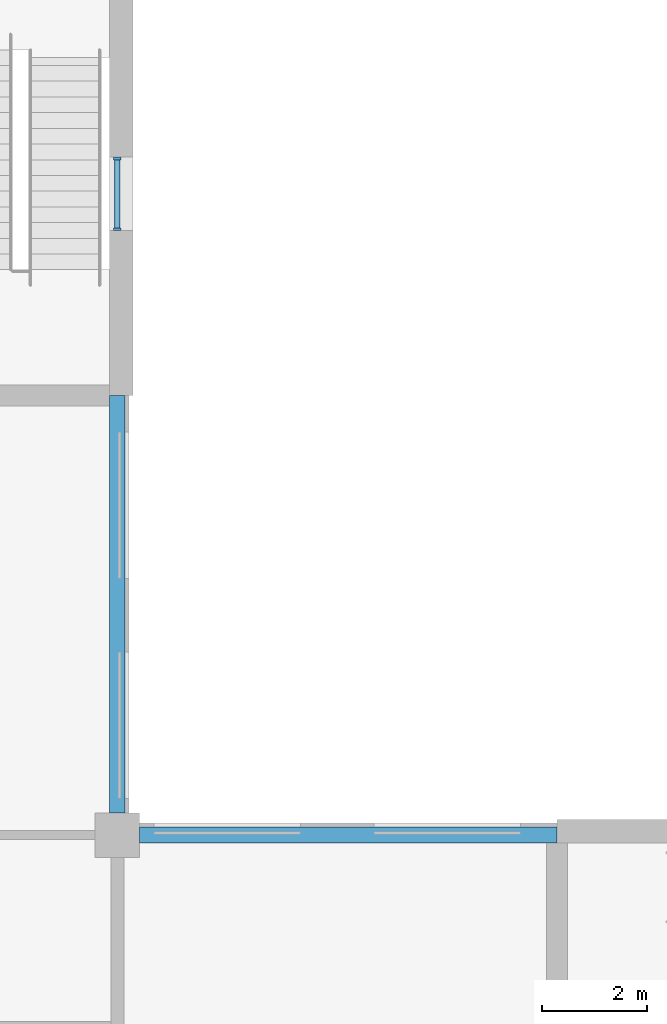
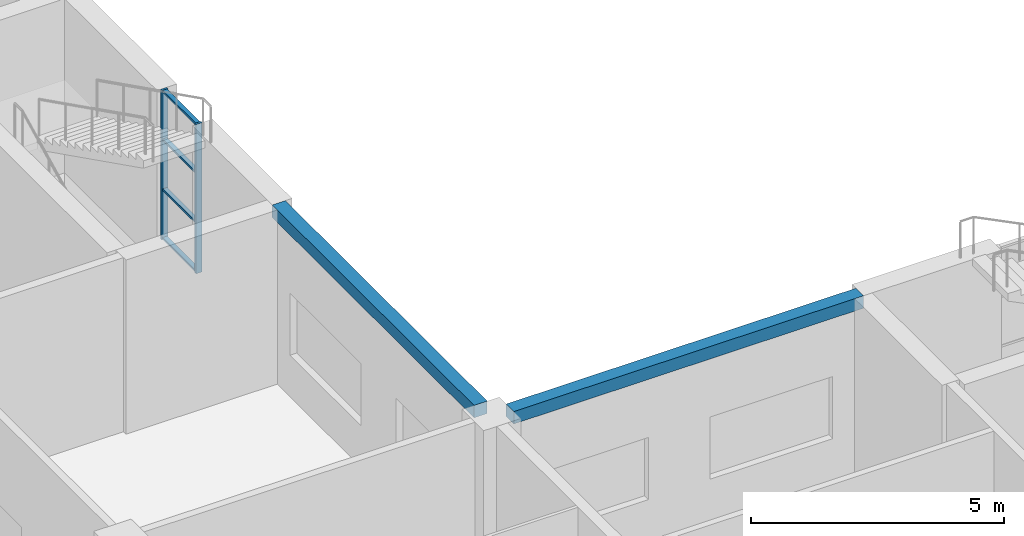
# One storey, part 6 of 66: 6 members, 2 beams, 1 element without a shape of its own.
"""IFC4 building model written with IfcOpenShell, lengths in metres."""

from ifc_helpers import new_model, si_unit, direction, frame, origin, origin_2d, place, context, subcontext, project, spatial, rectangle, extrude, material, material_profile, profile_set, type_object, element, aggregate, save


model = new_model("IFC4")

# Units and contexts
model_context = context("Model", 3, precision=1e-05, world=origin(), true_north=direction((0.0, 1.0)))
body_context = subcontext(model_context, "Body", "Model", "MODEL_VIEW")
ifc_project = project(units=[si_unit("LENGTHUNIT", "METRE"), si_unit("AREAUNIT", "SQUARE_METRE"), si_unit("VOLUMEUNIT", "CUBIC_METRE"), si_unit("PLANEANGLEUNIT", "RADIAN"), si_unit("MASSUNIT", "GRAM", prefix="KILO")], contexts=[model_context])

# Site, building, storey
site_placement = place(None, origin())
site = spatial("IfcSite", under=ifc_project, at=site_placement, CompositionType="ELEMENT")
building_placement = place(site_placement, origin())
building = spatial("IfcBuilding", under=site, at=building_placement, Name="Yavir Park General Hospital", CompositionType="ELEMENT")
storey_placement = place(building_placement, frame((0.0, 0.0, 8.39990234375)))
storey = spatial("IfcBuildingStorey", under=building, at=storey_placement, Name="L02", CompositionType="ELEMENT", Elevation=8.39990234375)

# Beams
ifc_material_1 = material(Name="Concrete C35/45", Category="concrete")
ifc_material_profile_1 = material_profile(ifc_material_1, rectangle(XDim=0.300048828125, YDim=0.300048828125, at=origin_2d()), Name="RC300x300")
ifc_profile_set_1 = profile_set([ifc_material_profile_1], Name="Concrete C35/45")
beam_type = type_object("IfcBeamType", Name="RC BEAM 300x300 edge beam", PredefinedType="BEAM", material=ifc_profile_set_1)
for number, where, z_axis, x_axis, name in (
    (1, (25.625, 33.60009765625, 4.050048828125), (1.0, 0.0, 0.0), (0.0, 1.0, 0.0), "B:EDGE:L02:017"),
    (2, (25.199951171875, 34.02490234375, 4.050048828125), (0.0, 1.0, 0.0), (-1.0, 0.0, 0.0), "B:EDGE:L02:045"),
):
    element("IfcBeam", number, at=place(storey_placement, frame(where, z_axis=z_axis, x_axis=x_axis)), inside=storey, type_object=beam_type, Name=name, PredefinedType="BEAM", context=body_context, shape_type="SweptSolid", body=[
        extrude(rectangle(XDim=0.300048828125, YDim=0.300048828125, at=origin_2d()), origin(), (0.0, 0.0, 1.0), 7.97509765625),
    ])

# Curtain wall, members
ifc_material_2 = material(Name="Aluminium curtain wall frame with insulated glazing", Category="aluminium")
curtain_wall_type = type_object("IfcCurtainWallType", Name="Stair light slot, podium, 3600 high, 1400 module", PredefinedType="NOTDEFINED", material=ifc_material_2)
curtain_wall_placement = place(storey_placement, origin())
curtain_wall = element("IfcCurtainWall", 3, at=curtain_wall_placement, inside=storey, type_object=curtain_wall_type, Name="CW57 L02-022", PredefinedType="NOTDEFINED")
ifc_material_3 = material(Name="Aluminium", Category="aluminium")
ifc_material_profile_2 = material_profile(ifc_material_3, rectangle(XDim=0.139892578125, YDim=0.050048828125, at=origin_2d()), Name="AL 50x140")
ifc_profile_set_2 = profile_set([ifc_material_profile_2], Name="Aluminium")
member_type_1 = type_object("IfcMemberType", Name="Stair light slot, podium, 3600 high mullion 50 x 140", PredefinedType="MULLION", material=ifc_profile_set_2)
member_1_placement = place(storey_placement, frame((25.199951171875, 45.175048828125, 0.60009765625), z_axis=(0.0, 0.0, 1.0), x_axis=(-1.0, 0.0, 0.0)))
member_1 = element("IfcMember", 4, at=member_1_placement, type_object=member_type_1, Name="CW57 mullion 1", PredefinedType="MULLION", context=body_context, shape_type="SweptSolid", body=[
    extrude(rectangle(XDim=0.139892578125, YDim=0.050048828125, at=origin_2d()), origin(), (0.0, 0.0, 1.0), 3.60009765625),
])
member_2_placement = place(storey_placement, frame((25.199951171875, 46.52490234375, 0.60009765625), z_axis=(0.0, 0.0, 1.0), x_axis=(-1.0, 0.0, 0.0)))
member_2 = element("IfcMember", 5, at=member_2_placement, type_object=member_type_1, Name="CW57 mullion 2", PredefinedType="MULLION", context=body_context, shape_type="SweptSolid", body=[
    extrude(rectangle(XDim=0.139892578125, YDim=0.050048828125, at=origin_2d()), origin(), (0.0, 0.0, 1.0), 3.60009765625),
])
ifc_material_4 = material(Name="Aluminium", Category="aluminium")
ifc_material_profile_3 = material_profile(ifc_material_4, rectangle(XDim=0.10009765625, YDim=0.050048828125, at=origin_2d()), Name="AL 100x50")
ifc_profile_set_3 = profile_set([ifc_material_profile_3], Name="Aluminium")
member_type_2 = type_object("IfcMemberType", Name="Stair light slot, podium, 3600 high transom 50 x 100", PredefinedType="MULLION", material=ifc_profile_set_3)
member_3_placement = place(storey_placement, frame((25.199951171875, 45.199951171875, 0.625), z_axis=(0.0, 1.0, 0.0), x_axis=(-1.0, 0.0, 0.0)))
member_3 = element("IfcMember", 6, at=member_3_placement, type_object=member_type_2, Name="CW57 transom 1.1", PredefinedType="MULLION", context=body_context, shape_type="SweptSolid", body=[
    extrude(rectangle(XDim=0.10009765625, YDim=0.050048828125, at=origin_2d()), origin(), (0.0, 0.0, 1.0), 1.300048828125),
])
member_4_placement = place(storey_placement, frame((25.199951171875, 45.199951171875, 1.800048828125), z_axis=(0.0, 1.0, 0.0), x_axis=(-1.0, 0.0, 0.0)))
member_4 = element("IfcMember", 7, at=member_4_placement, type_object=member_type_2, Name="CW57 transom 1.2", PredefinedType="MULLION", context=body_context, shape_type="SweptSolid", body=[
    extrude(rectangle(XDim=0.10009765625, YDim=0.050048828125, at=origin_2d()), origin(), (0.0, 0.0, 1.0), 1.300048828125),
])
member_5_placement = place(storey_placement, frame((25.199951171875, 45.199951171875, 3.0), z_axis=(0.0, 1.0, 0.0), x_axis=(-1.0, 0.0, 0.0)))
member_5 = element("IfcMember", 8, at=member_5_placement, type_object=member_type_2, Name="CW57 transom 1.3", PredefinedType="MULLION", context=body_context, shape_type="SweptSolid", body=[
    extrude(rectangle(XDim=0.10009765625, YDim=0.050048828125, at=origin_2d()), origin(), (0.0, 0.0, 1.0), 1.300048828125),
])
member_6_placement = place(storey_placement, frame((25.199951171875, 45.199951171875, 4.175048828125), z_axis=(0.0, 1.0, 0.0), x_axis=(-1.0, 0.0, 0.0)))
member_6 = element("IfcMember", 9, at=member_6_placement, type_object=member_type_2, Name="CW57 transom 1.4", PredefinedType="MULLION", context=body_context, shape_type="SweptSolid", body=[
    extrude(rectangle(XDim=0.10009765625, YDim=0.050048828125, at=origin_2d()), origin(), (0.0, 0.0, 1.0), 1.300048828125),
])
aggregate(curtain_wall, [member_1, member_2, member_3, member_4, member_5, member_6])

save(model, "model.ifc")
